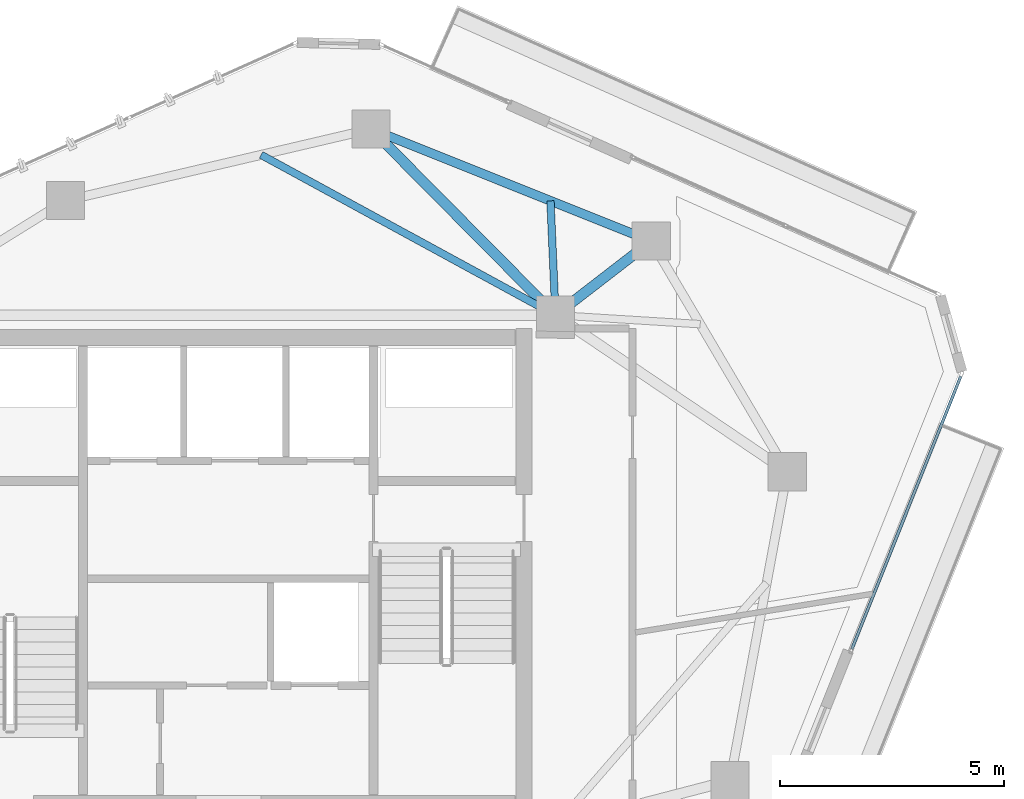
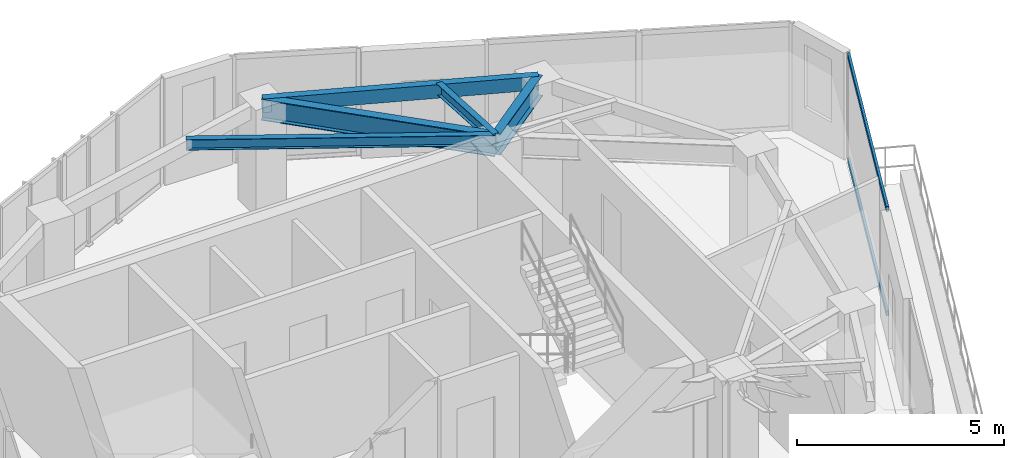
# One storey, part 12 of 21: 5 beams, 2 members, 1 element without a shape of its own.
"""IFC4 building model written with IfcOpenShell, lengths in metres."""

from ifc_helpers import new_model, si_unit, direction, frame, origin, origin_2d, place, context, subcontext, project, spatial, hollow_rectangle, i_section, extrude, source, transform, mapped, material, layer, layer_set, material_profile, profile_set, type_object, type_shapes, element, aggregate, save


model = new_model("IFC4")

# Units and contexts
model_context = context("Model", 3, precision=1e-05, world=origin(), true_north=direction((0.0, 1.0)))
body_context = subcontext(model_context, "Body", "Model", "MODEL_VIEW")
ifc_project = project(units=[si_unit("LENGTHUNIT", "METRE"), si_unit("AREAUNIT", "SQUARE_METRE"), si_unit("VOLUMEUNIT", "CUBIC_METRE"), si_unit("PLANEANGLEUNIT", "RADIAN"), si_unit("MASSUNIT", "GRAM", prefix="KILO")], contexts=[model_context])

# Site, building, storey
site_placement = place(None, origin())
site = spatial("IfcSite", under=ifc_project, at=site_placement, CompositionType="ELEMENT")
building_placement = place(site_placement, origin())
building = spatial("IfcBuilding", under=site, at=building_placement, Name="Talar Marvaseh", CompositionType="ELEMENT")
storey_placement = place(building_placement, frame((0.0, 0.0, 271.39990234375)))
storey = spatial("IfcBuildingStorey", under=building, at=storey_placement, Name="L72", CompositionType="ELEMENT", Elevation=271.39990234375)

# Beams
ifc_material_1 = material(Name="Steel S355", Category="steel")
ifc_material_profile_1 = material_profile(ifc_material_1, hollow_rectangle(XDim=0.199951171875, YDim=0.39990234375, WallThickness=0.013916015625, at=origin_2d()), Name="RHS400x200x14")
ifc_profile_set_1 = profile_set([ifc_material_profile_1], Name="Steel S355")
beam_type_1 = type_object("IfcBeamType", Name="Zone 3 Perimeter Spandrel Beam RHS400x200x14", PredefinedType="SPANDREL", material=ifc_profile_set_1)
beam_1_placement = place(storey_placement, frame((29.18798828125, 41.052001953125, 2.940185546875), z_axis=(0.928426659475, -0.371515730456, 0.0), x_axis=(0.371515730456, 0.928426659475, 0.0)))
element("IfcBeam", 1, at=beam_1_placement, inside=storey, type_object=beam_type_1, Name="L72 Zone 3 Perimeter Spandrel Beam RHS400x200x14", PredefinedType="SPANDREL", context=body_context, shape_type="SweptSolid", body=[
    extrude(hollow_rectangle(XDim=0.199951171875, YDim=0.39990234375, WallThickness=0.013916015625, at=origin_2d()), origin(), (0.0, 0.0, 1.0), 6.73193359375),
])
ifc_material_profile_2 = material_profile(ifc_material_1, i_section(OverallWidth=0.166015625, OverallDepth=0.31298828125, WebThickness=0.006591796875, FlangeThickness=0.01123046875, at=origin_2d()), Name="W310x45")
ifc_profile_set_2 = profile_set([ifc_material_profile_2], Name="Steel S355")
beam_type_2 = type_object("IfcBeamType", Name="Zone 3 Secondary Floor Joist W310x45", PredefinedType="JOIST", material=ifc_profile_set_2)
beam_2_placement = place(storey_placement, frame((26.731689453125, 40.476806640625, 2.983642578125), z_axis=(0.878223458764, -0.478250516442, 0.0), x_axis=(0.478250516442, 0.878223458764, 0.0)))
element("IfcBeam", 2, at=beam_2_placement, inside=storey, type_object=beam_type_2, Name="L72 Zone 3 Secondary Floor Joist W310x45", PredefinedType="JOIST", context=body_context, shape_type="SweptSolid", body=[
    extrude(i_section(OverallWidth=0.166015625, OverallDepth=0.31298828125, WebThickness=0.006591796875, FlangeThickness=0.01123046875, at=origin_2d()), origin(), (0.0, 0.0, 1.0), 7.479248046875),
])
beam_3_placement = place(storey_placement, frame((33.18798828125, 39.451416015625, 2.983642578125), z_axis=(0.043876945448, -0.99903694309, 0.0), x_axis=(0.99903694309, 0.043876945448, 0.0)))
element("IfcBeam", 3, at=beam_3_placement, inside=storey, type_object=beam_type_2, Name="L72 Zone 3 Secondary Floor Joist W310x45", PredefinedType="JOIST", context=body_context, shape_type="SweptSolid", body=[
    extrude(i_section(OverallWidth=0.166015625, OverallDepth=0.31298828125, WebThickness=0.006591796875, FlangeThickness=0.01123046875, at=origin_2d()), origin(), (0.0, 0.0, 1.0), 2.553955078125),
])
ifc_material_profile_3 = material_profile(ifc_material_1, i_section(OverallWidth=0.22998046875, OverallDepth=0.616943359375, WebThickness=0.01318359375, FlangeThickness=0.022216796875, at=origin_2d()), Name="W610x140")
ifc_profile_set_3 = profile_set([ifc_material_profile_3], Name="Steel S355")
beam_type_3 = type_object("IfcBeamType", Name="Zone 4 Radial Floor Girder W610x140", PredefinedType="BEAM", material=ifc_profile_set_3)
beam_4_placement = place(storey_placement, frame((29.18798828125, 41.052001953125, 2.83154296875), z_axis=(0.703672658083, -0.710524306598, 0.0), x_axis=(0.710524306598, 0.703672658083, 0.0)))
element("IfcBeam", 4, at=beam_4_placement, inside=storey, type_object=beam_type_3, Name="L72 Zone 4 Radial Floor Girder W610x140", PredefinedType="BEAM", context=body_context, shape_type="SweptSolid", body=[
    extrude(i_section(OverallWidth=0.22998046875, OverallDepth=0.616943359375, WebThickness=0.01318359375, FlangeThickness=0.022216796875, at=origin_2d()), origin(), (0.0, 0.0, 1.0), 5.84375),
])
beam_5_placement = place(storey_placement, frame((35.43798828125, 38.551025390625, 2.83154296875), z_axis=(-0.791449946636, -0.611233982996, 0.0), x_axis=(0.611233982996, -0.791449946636, 0.0)))
element("IfcBeam", 5, at=beam_5_placement, inside=storey, type_object=beam_type_3, Name="L72 Zone 4 Radial Floor Girder W610x140", PredefinedType="BEAM", context=body_context, shape_type="SweptSolid", body=[
    extrude(i_section(OverallWidth=0.22998046875, OverallDepth=0.616943359375, WebThickness=0.01318359375, FlangeThickness=0.022216796875, at=origin_2d()), origin(), (0.0, 0.0, 1.0), 2.701416015625),
])

# Curtain wall, members
ifc_material_2 = material(Name="Architectural Aluminium", Category="aluminium")
ifc_layer = layer(ifc_material_2, 0.179931640625)
ifc_layer_set = layer_set([ifc_layer], Name="Architectural Aluminium")
curtain_wall_type = type_object("IfcCurtainWallType", Name="Unitised High-Wind Sky Curtain Wall Z4", PredefinedType="NOTDEFINED", material=ifc_layer_set)
curtain_wall_placement = place(storey_placement, origin())
curtain_wall = element("IfcCurtainWall", 6, at=curtain_wall_placement, inside=storey, type_object=curtain_wall_type, Name="L72 Unitised High-Wind Sky Curtain Wall Z4", PredefinedType="NOTDEFINED")
ifc_material_profile_4 = material_profile(ifc_material_2, hollow_rectangle(XDim=0.06494140625, YDim=0.14990234375, WallThickness=0.00390625, at=origin_2d()), Name="RHS150x65x4")
ifc_profile_set_4 = profile_set([ifc_material_profile_4], Name="Architectural Aluminium")
member_type = type_object("IfcMemberType", Name="Unitised Curtain Wall Slim Transom RHS150x65x4", PredefinedType="USERDEFINED", material=ifc_profile_set_4)
shared_shape = source(origin(), body_context, "Body", "SweptSolid", [
    extrude(hollow_rectangle(XDim=0.06494140625, YDim=0.14990234375, WallThickness=0.00390625, at=origin_2d()), origin(), (0.0, 0.0, 1.0), 6.556640625),
])
type_shapes(member_type, [shared_shape])
member_1_placement = place(storey_placement, frame((42.344970703125, 35.54052734375, 0.03271484375), z_axis=(-0.370722898017, -0.928743523738, 0.0), x_axis=(0.928743523738, -0.370722898017, 0.0)))
member_1 = element("IfcMember", 7, at=member_1_placement, type_object=member_type, Name="CW-Z4 transom 1.1", ObjectType="TRANSOM", PredefinedType="USERDEFINED", context=body_context, shape_type="MappedRepresentation", body=[
    mapped(shared_shape, transform((0.0, 0.0, 0.0), x_axis=(1.0, 0.0, 0.0), y_axis=(0.0, 1.0, 0.0), z_axis=(0.0, 0.0, 1.0), scale=1.0)),
])
member_2_placement = place(storey_placement, frame((42.344970703125, 35.54052734375, 3.107666015625), z_axis=(-0.370722898017, -0.928743523738, 0.0), x_axis=(0.928743523738, -0.370722898017, 0.0)))
member_2 = element("IfcMember", 8, at=member_2_placement, type_object=member_type, Name="CW-Z4 transom 1.2", ObjectType="TRANSOM", PredefinedType="USERDEFINED", context=body_context, shape_type="MappedRepresentation", body=[
    mapped(shared_shape, transform((0.0, 0.0, 0.0), x_axis=(1.0, 0.0, 0.0), y_axis=(0.0, 1.0, 0.0), z_axis=(0.0, 0.0, 1.0), scale=1.0)),
])
aggregate(curtain_wall, [member_1, member_2])

save(model, "model.ifc")
